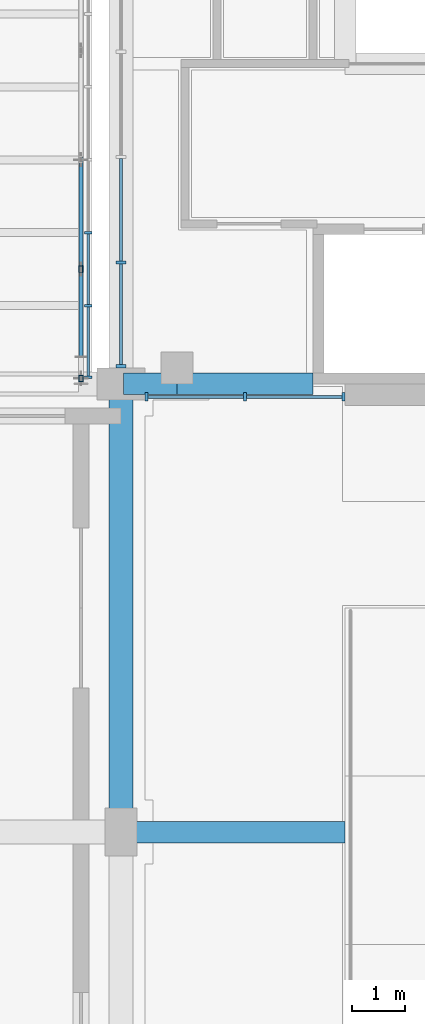
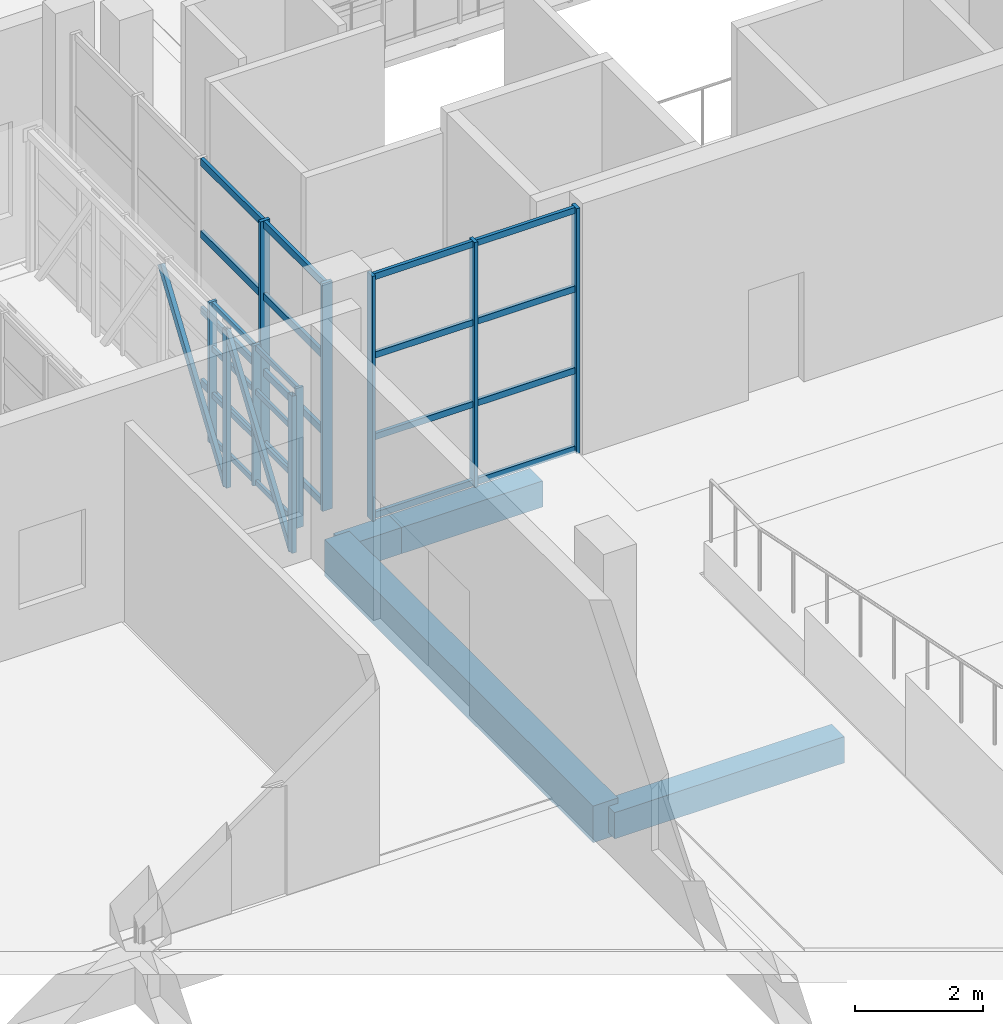
# One storey, part 9 of 67: 36 members, 4 beams, 3 elements without a shape of their own.
"""IFC4 building model written with IfcOpenShell, lengths in metres."""

from ifc_helpers import new_model, si_unit, direction, frame, origin, origin_2d, place, context, subcontext, project, spatial, rectangle, hollow_rectangle, extrude, material, layer, layer_set, material_profile, profile_set, type_object, element, aggregate, save


model = new_model("IFC4")

# Units and contexts
model_context = context("Model", 3, precision=1e-05, world=origin(), true_north=direction((0.0, 1.0)))
body_context = subcontext(model_context, "Body", "Model", "MODEL_VIEW")
ifc_project = project(units=[si_unit("LENGTHUNIT", "METRE"), si_unit("AREAUNIT", "SQUARE_METRE"), si_unit("VOLUMEUNIT", "CUBIC_METRE"), si_unit("PLANEANGLEUNIT", "RADIAN"), si_unit("MASSUNIT", "GRAM", prefix="KILO")], contexts=[model_context])

# Site, building, storey
site_placement = place(None, origin())
site = spatial("IfcSite", under=ifc_project, at=site_placement, CompositionType="ELEMENT")
building_placement = place(site_placement, origin())
building = spatial("IfcBuilding", under=site, at=building_placement, Name="Kiln Court Media Centre", CompositionType="ELEMENT")
storey_placement = place(building_placement, frame((0.0, 0.0, 19.800048828125)))
storey = spatial("IfcBuildingStorey", under=building, at=storey_placement, Name="L04", CompositionType="ELEMENT", Elevation=19.800048828125)

# Curtain wall, members
ifc_material_1 = material(Name="Aluminium 6063-T6", Category="aluminium")
ifc_layer_1 = layer(ifc_material_1, 0.1201171875)
ifc_layer_set_1 = layer_set([ifc_layer_1], Name="Aluminium unitised curtain wall, bridge")
curtain_wall_type_1 = type_object("IfcCurtainWallType", Name="Aluminium unitised curtain wall, bridge", PredefinedType="USERDEFINED", material=ifc_layer_set_1)
curtain_wall_1_placement = place(storey_placement, origin())
curtain_wall_1 = element("IfcCurtainWall", 1, at=curtain_wall_1_placement, inside=storey, type_object=curtain_wall_type_1, Name="BR-2 side glazing", ObjectType="UNITISED CURTAIN WALL", PredefinedType="USERDEFINED")
ifc_material_2 = material(Name="Aluminium 6063-T6", Category="aluminium")
ifc_material_profile_1 = material_profile(ifc_material_2, rectangle(XDim=0.050048828125, YDim=0.139892578125, at=origin_2d()), Name="Aluminium hall mullion 50x140")
ifc_profile_set_1 = profile_set([ifc_material_profile_1], Name="Aluminium 6063-T6")
member_type_1 = type_object("IfcMemberType", Name="Aluminium hall mullion 50x140", PredefinedType="MULLION", material=ifc_profile_set_1)
member_1_placement = place(storey_placement, frame((32.985107421875, 25.324951171875, 0.0), z_axis=(0.0, 0.0, 1.0), x_axis=(0.0, 1.0, 0.0)))
member_1 = element("IfcMember", 2, at=member_1_placement, type_object=member_type_1, Name="CW4-66 mullion 1", PredefinedType="MULLION", context=body_context, shape_type="SweptSolid", body=[
    extrude(rectangle(XDim=0.050048828125, YDim=0.139892578125, at=origin_2d()), origin(), (0.0, 0.0, 1.0), 2.675048828125),
])
member_2_placement = place(storey_placement, frame((32.985107421875, 26.666748046875, 0.0), z_axis=(0.0, 0.0, 1.0), x_axis=(0.0, 1.0, 0.0)))
member_2 = element("IfcMember", 3, at=member_2_placement, type_object=member_type_1, Name="CW4-66 mullion 2", PredefinedType="MULLION", context=body_context, shape_type="SweptSolid", body=[
    extrude(rectangle(XDim=0.050048828125, YDim=0.139892578125, at=origin_2d()), origin(), (0.0, 0.0, 1.0), 2.675048828125),
])
member_3_placement = place(storey_placement, frame((32.985107421875, 28.033447265625, 0.0), z_axis=(0.0, 0.0, 1.0), x_axis=(0.0, 1.0, 0.0)))
member_3 = element("IfcMember", 4, at=member_3_placement, type_object=member_type_1, Name="CW4-66 mullion 3", PredefinedType="MULLION", context=body_context, shape_type="SweptSolid", body=[
    extrude(rectangle(XDim=0.050048828125, YDim=0.139892578125, at=origin_2d()), origin(), (0.0, 0.0, 1.0), 2.675048828125),
])

ifc_material_3 = material(Name="Aluminium 6063-T6", Category="aluminium")
ifc_layer_2 = layer(ifc_material_3, 0.1201171875)
ifc_layer_set_2 = layer_set([ifc_layer_2], Name="Aluminium stick curtain wall, clerestory")
curtain_wall_type_2 = type_object("IfcCurtainWallType", Name="Aluminium stick curtain wall, clerestory", PredefinedType="USERDEFINED", material=ifc_layer_set_2)
curtain_wall_2_placement = place(storey_placement, origin())
curtain_wall_2 = element("IfcCurtainWall", 5, at=curtain_wall_2_placement, inside=storey, type_object=curtain_wall_type_2, Name="Foyer south clerestory", ObjectType="STICK CURTAIN WALL", PredefinedType="USERDEFINED")
ifc_material_4 = material(Name="Aluminium 6063-T6", Category="aluminium")
ifc_material_profile_2 = material_profile(ifc_material_4, rectangle(XDim=0.06005859375, YDim=0.159912109375, at=origin_2d()), Name="Aluminium hall mullion 60x160")
ifc_profile_set_2 = profile_set([ifc_material_profile_2], Name="Aluminium 6063-T6")
member_type_2 = type_object("IfcMemberType", Name="Aluminium hall mullion 60x160", PredefinedType="MULLION", material=ifc_profile_set_2)
member_4_placement = place(storey_placement, frame((34.080078125, 24.95556640625, 0.0), z_axis=(0.0, 0.0, 1.0), x_axis=(1.0, 0.0, 0.0)))
member_4 = element("IfcMember", 6, at=member_4_placement, type_object=member_type_2, Name="CW4-61 mullion 1", PredefinedType="MULLION", context=body_context, shape_type="SweptSolid", body=[
    extrude(rectangle(XDim=0.06005859375, YDim=0.159912109375, at=origin_2d()), origin(), (0.0, 0.0, 1.0), 4.677734375),
])
member_5_placement = place(storey_placement, frame((35.925048828125, 24.95556640625, 0.0), z_axis=(0.0, 0.0, 1.0), x_axis=(1.0, 0.0, 0.0)))
member_5 = element("IfcMember", 7, at=member_5_placement, type_object=member_type_2, Name="CW4-61 mullion 2", PredefinedType="MULLION", context=body_context, shape_type="SweptSolid", body=[
    extrude(rectangle(XDim=0.06005859375, YDim=0.159912109375, at=origin_2d()), origin(), (0.0, 0.0, 1.0), 4.677734375),
])
member_6_placement = place(storey_placement, frame((37.77001953125, 24.95556640625, 0.0), z_axis=(0.0, 0.0, 1.0), x_axis=(1.0, 0.0, 0.0)))
member_6 = element("IfcMember", 8, at=member_6_placement, type_object=member_type_2, Name="CW4-61 mullion 3", PredefinedType="MULLION", context=body_context, shape_type="SweptSolid", body=[
    extrude(rectangle(XDim=0.06005859375, YDim=0.159912109375, at=origin_2d()), origin(), (0.0, 0.0, 1.0), 4.677734375),
])

ifc_material_5 = material(Name="Aluminium 6063-T6", Category="aluminium")
ifc_layer_3 = layer(ifc_material_5, 0.1201171875)
ifc_layer_set_3 = layer_set([ifc_layer_3], Name="Aluminium stick curtain wall, gallery")
curtain_wall_type_3 = type_object("IfcCurtainWallType", Name="Aluminium stick curtain wall, gallery", PredefinedType="USERDEFINED", material=ifc_layer_set_3)
curtain_wall_3_placement = place(storey_placement, origin())
curtain_wall_3 = element("IfcCurtainWall", 9, at=curtain_wall_3_placement, inside=storey, type_object=curtain_wall_type_3, Name="Foyer west glazing L04", ObjectType="STICK CURTAIN WALL", PredefinedType="USERDEFINED")
ifc_material_6 = material(Name="Aluminium 6063-T6", Category="aluminium")
ifc_material_profile_3 = material_profile(ifc_material_6, rectangle(XDim=0.06005859375, YDim=0.179931640625, at=origin_2d()), Name="Aluminium hall mullion 60x180")
ifc_profile_set_3 = profile_set([ifc_material_profile_3], Name="Aluminium 6063-T6")
member_type_3 = type_object("IfcMemberType", Name="Aluminium hall mullion 60x180", PredefinedType="MULLION", material=ifc_profile_set_3)
member_7_placement = place(storey_placement, frame((33.60009765625, 25.530029296875, 0.0), z_axis=(0.0, 0.0, 1.0), x_axis=(0.0, 1.0, 0.0)))
member_7 = element("IfcMember", 10, at=member_7_placement, type_object=member_type_3, Name="CW4-64 mullion 1", PredefinedType="MULLION", context=body_context, shape_type="SweptSolid", body=[
    extrude(rectangle(XDim=0.06005859375, YDim=0.179931640625, at=origin_2d()), origin(), (0.0, 0.0, 1.0), 4.349853515625),
])
member_8_placement = place(storey_placement, frame((33.60009765625, 27.47509765625, 0.0), z_axis=(0.0, 0.0, 1.0), x_axis=(0.0, 1.0, 0.0)))
member_8 = element("IfcMember", 11, at=member_8_placement, type_object=member_type_3, Name="CW4-64 mullion 2", PredefinedType="MULLION", context=body_context, shape_type="SweptSolid", body=[
    extrude(rectangle(XDim=0.06005859375, YDim=0.179931640625, at=origin_2d()), origin(), (0.0, 0.0, 1.0), 4.349853515625),
])

# Member
ifc_material_7 = material(Name="Aluminium 6063-T6", Category="aluminium")
ifc_material_profile_4 = material_profile(ifc_material_7, rectangle(XDim=0.050048828125, YDim=0.10009765625, at=origin_2d()), Name="Aluminium hall transom 50x100")
ifc_profile_set_4 = profile_set([ifc_material_profile_4], Name="Aluminium 6063-T6")
member_type_4 = type_object("IfcMemberType", Name="Aluminium hall transom 50x100", PredefinedType="USERDEFINED", material=ifc_profile_set_4)
member_9_placement = place(storey_placement, frame((32.985107421875, 25.35009765625, 0.050048828125), z_axis=(0.0, 1.0, 0.0), x_axis=(-1.0, 0.0, 0.0)))
member_9 = element("IfcMember", 12, at=member_9_placement, type_object=member_type_4, Name="CW4-66 transom 1.1", ObjectType="TRANSOM", PredefinedType="USERDEFINED", context=body_context, shape_type="SweptSolid", body=[
    extrude(rectangle(XDim=0.050048828125, YDim=0.10009765625, at=origin_2d()), origin(), (0.0, 0.0, 1.0), 1.29150390625),
])

member_10_placement = place(storey_placement, frame((32.985107421875, 25.35009765625, 0.8916015625), z_axis=(0.0, 1.0, 0.0), x_axis=(-1.0, 0.0, 0.0)))
member_10 = element("IfcMember", 13, at=member_10_placement, type_object=member_type_4, Name="CW4-66 transom 1.2", ObjectType="TRANSOM", PredefinedType="USERDEFINED", context=body_context, shape_type="SweptSolid", body=[
    extrude(rectangle(XDim=0.050048828125, YDim=0.10009765625, at=origin_2d()), origin(), (0.0, 0.0, 1.0), 1.29150390625),
])

member_11_placement = place(storey_placement, frame((32.985107421875, 25.35009765625, 1.783203125), z_axis=(0.0, 1.0, 0.0), x_axis=(-1.0, 0.0, 0.0)))
member_11 = element("IfcMember", 14, at=member_11_placement, type_object=member_type_4, Name="CW4-66 transom 1.3", ObjectType="TRANSOM", PredefinedType="USERDEFINED", context=body_context, shape_type="SweptSolid", body=[
    extrude(rectangle(XDim=0.050048828125, YDim=0.10009765625, at=origin_2d()), origin(), (0.0, 0.0, 1.0), 1.29150390625),
])

member_12_placement = place(storey_placement, frame((32.985107421875, 25.35009765625, 2.625), z_axis=(0.0, 1.0, 0.0), x_axis=(-1.0, 0.0, 0.0)))
member_12 = element("IfcMember", 15, at=member_12_placement, type_object=member_type_4, Name="CW4-66 transom 1.4", ObjectType="TRANSOM", PredefinedType="USERDEFINED", context=body_context, shape_type="SweptSolid", body=[
    extrude(rectangle(XDim=0.050048828125, YDim=0.10009765625, at=origin_2d()), origin(), (0.0, 0.0, 1.0), 1.29150390625),
])

member_13_placement = place(storey_placement, frame((32.985107421875, 26.691650390625, 0.050048828125), z_axis=(0.0, 1.0, 0.0), x_axis=(-1.0, 0.0, 0.0)))
member_13 = element("IfcMember", 16, at=member_13_placement, type_object=member_type_4, Name="CW4-66 transom 2.1", ObjectType="TRANSOM", PredefinedType="USERDEFINED", context=body_context, shape_type="SweptSolid", body=[
    extrude(rectangle(XDim=0.050048828125, YDim=0.10009765625, at=origin_2d()), origin(), (0.0, 0.0, 1.0), 1.316650390625),
])

member_14_placement = place(storey_placement, frame((32.985107421875, 26.691650390625, 0.8916015625), z_axis=(0.0, 1.0, 0.0), x_axis=(-1.0, 0.0, 0.0)))
member_14 = element("IfcMember", 17, at=member_14_placement, type_object=member_type_4, Name="CW4-66 transom 2.2", ObjectType="TRANSOM", PredefinedType="USERDEFINED", context=body_context, shape_type="SweptSolid", body=[
    extrude(rectangle(XDim=0.050048828125, YDim=0.10009765625, at=origin_2d()), origin(), (0.0, 0.0, 1.0), 1.316650390625),
])

member_15_placement = place(storey_placement, frame((32.985107421875, 26.691650390625, 1.783203125), z_axis=(0.0, 1.0, 0.0), x_axis=(-1.0, 0.0, 0.0)))
member_15 = element("IfcMember", 18, at=member_15_placement, type_object=member_type_4, Name="CW4-66 transom 2.3", ObjectType="TRANSOM", PredefinedType="USERDEFINED", context=body_context, shape_type="SweptSolid", body=[
    extrude(rectangle(XDim=0.050048828125, YDim=0.10009765625, at=origin_2d()), origin(), (0.0, 0.0, 1.0), 1.316650390625),
])

member_16_placement = place(storey_placement, frame((32.985107421875, 26.691650390625, 2.625), z_axis=(0.0, 1.0, 0.0), x_axis=(-1.0, 0.0, 0.0)))
member_16 = element("IfcMember", 19, at=member_16_placement, type_object=member_type_4, Name="CW4-66 transom 2.4", ObjectType="TRANSOM", PredefinedType="USERDEFINED", context=body_context, shape_type="SweptSolid", body=[
    extrude(rectangle(XDim=0.050048828125, YDim=0.10009765625, at=origin_2d()), origin(), (0.0, 0.0, 1.0), 1.316650390625),
])

aggregate(curtain_wall_1, [member_1, member_2, member_3, member_9, member_10, member_11, member_12, member_13, member_14, member_15, member_16])

ifc_material_8 = material(Name="Aluminium 6063-T6", Category="aluminium")
ifc_material_profile_5 = material_profile(ifc_material_8, rectangle(XDim=0.06005859375, YDim=0.1201171875, at=origin_2d()), Name="Aluminium hall transom 60x120")
ifc_profile_set_5 = profile_set([ifc_material_profile_5], Name="Aluminium 6063-T6")
member_type_5 = type_object("IfcMemberType", Name="Aluminium hall transom 60x120", PredefinedType="USERDEFINED", material=ifc_profile_set_5)
member_17_placement = place(storey_placement, frame((34.110107421875, 24.95556640625, 0.06005859375), z_axis=(1.0, 0.0, 0.0), x_axis=(0.0, 1.0, 0.0)))
member_17 = element("IfcMember", 20, at=member_17_placement, type_object=member_type_5, Name="CW4-61 transom 1.1", ObjectType="TRANSOM", PredefinedType="USERDEFINED", context=body_context, shape_type="SweptSolid", body=[
    extrude(rectangle(XDim=0.06005859375, YDim=0.1201171875, at=origin_2d()), origin(), (0.0, 0.0, 1.0), 1.784912109375),
])

member_18_placement = place(storey_placement, frame((34.110107421875, 24.95556640625, 1.55908203125), z_axis=(1.0, 0.0, 0.0), x_axis=(0.0, 1.0, 0.0)))
member_18 = element("IfcMember", 21, at=member_18_placement, type_object=member_type_5, Name="CW4-61 transom 1.2", ObjectType="TRANSOM", PredefinedType="USERDEFINED", context=body_context, shape_type="SweptSolid", body=[
    extrude(rectangle(XDim=0.06005859375, YDim=0.1201171875, at=origin_2d()), origin(), (0.0, 0.0, 1.0), 1.784912109375),
])

member_19_placement = place(storey_placement, frame((34.110107421875, 24.95556640625, 3.118408203125), z_axis=(1.0, 0.0, 0.0), x_axis=(0.0, 1.0, 0.0)))
member_19 = element("IfcMember", 22, at=member_19_placement, type_object=member_type_5, Name="CW4-61 transom 1.3", ObjectType="TRANSOM", PredefinedType="USERDEFINED", context=body_context, shape_type="SweptSolid", body=[
    extrude(rectangle(XDim=0.06005859375, YDim=0.1201171875, at=origin_2d()), origin(), (0.0, 0.0, 1.0), 1.784912109375),
])

member_20_placement = place(storey_placement, frame((34.110107421875, 24.95556640625, 4.61767578125), z_axis=(1.0, 0.0, 0.0), x_axis=(0.0, 1.0, 0.0)))
member_20 = element("IfcMember", 23, at=member_20_placement, type_object=member_type_5, Name="CW4-61 transom 1.4", ObjectType="TRANSOM", PredefinedType="USERDEFINED", context=body_context, shape_type="SweptSolid", body=[
    extrude(rectangle(XDim=0.06005859375, YDim=0.1201171875, at=origin_2d()), origin(), (0.0, 0.0, 1.0), 1.784912109375),
])

member_21_placement = place(storey_placement, frame((35.955078125, 24.95556640625, 0.06005859375), z_axis=(1.0, 0.0, 0.0), x_axis=(0.0, 1.0, 0.0)))
member_21 = element("IfcMember", 24, at=member_21_placement, type_object=member_type_5, Name="CW4-61 transom 2.1", ObjectType="TRANSOM", PredefinedType="USERDEFINED", context=body_context, shape_type="SweptSolid", body=[
    extrude(rectangle(XDim=0.06005859375, YDim=0.1201171875, at=origin_2d()), origin(), (0.0, 0.0, 1.0), 1.784912109375),
])

member_22_placement = place(storey_placement, frame((35.955078125, 24.95556640625, 1.55908203125), z_axis=(1.0, 0.0, 0.0), x_axis=(0.0, 1.0, 0.0)))
member_22 = element("IfcMember", 25, at=member_22_placement, type_object=member_type_5, Name="CW4-61 transom 2.2", ObjectType="TRANSOM", PredefinedType="USERDEFINED", context=body_context, shape_type="SweptSolid", body=[
    extrude(rectangle(XDim=0.06005859375, YDim=0.1201171875, at=origin_2d()), origin(), (0.0, 0.0, 1.0), 1.784912109375),
])

member_23_placement = place(storey_placement, frame((35.955078125, 24.95556640625, 3.118408203125), z_axis=(1.0, 0.0, 0.0), x_axis=(0.0, 1.0, 0.0)))
member_23 = element("IfcMember", 26, at=member_23_placement, type_object=member_type_5, Name="CW4-61 transom 2.3", ObjectType="TRANSOM", PredefinedType="USERDEFINED", context=body_context, shape_type="SweptSolid", body=[
    extrude(rectangle(XDim=0.06005859375, YDim=0.1201171875, at=origin_2d()), origin(), (0.0, 0.0, 1.0), 1.784912109375),
])

member_24_placement = place(storey_placement, frame((35.955078125, 24.95556640625, 4.61767578125), z_axis=(1.0, 0.0, 0.0), x_axis=(0.0, 1.0, 0.0)))
member_24 = element("IfcMember", 27, at=member_24_placement, type_object=member_type_5, Name="CW4-61 transom 2.4", ObjectType="TRANSOM", PredefinedType="USERDEFINED", context=body_context, shape_type="SweptSolid", body=[
    extrude(rectangle(XDim=0.06005859375, YDim=0.1201171875, at=origin_2d()), origin(), (0.0, 0.0, 1.0), 1.784912109375),
])

aggregate(curtain_wall_2, [member_4, member_5, member_6, member_17, member_18, member_19, member_20, member_21, member_22, member_23, member_24])

ifc_material_9 = material(Name="Aluminium 6063-T6", Category="aluminium")
ifc_material_profile_6 = material_profile(ifc_material_9, rectangle(XDim=0.06005859375, YDim=0.139892578125, at=origin_2d()), Name="Aluminium hall transom 60x140")
ifc_profile_set_6 = profile_set([ifc_material_profile_6], Name="Aluminium 6063-T6")
member_type_6 = type_object("IfcMemberType", Name="Aluminium hall transom 60x140", PredefinedType="USERDEFINED", material=ifc_profile_set_6)
member_25_placement = place(storey_placement, frame((33.60009765625, 25.56005859375, 0.070068359375), z_axis=(0.0, 1.0, 0.0), x_axis=(-1.0, 0.0, 0.0)))
member_25 = element("IfcMember", 28, at=member_25_placement, type_object=member_type_6, Name="CW4-64 transom 1.1", ObjectType="TRANSOM", PredefinedType="USERDEFINED", context=body_context, shape_type="SweptSolid", body=[
    extrude(rectangle(XDim=0.06005859375, YDim=0.139892578125, at=origin_2d()), origin(), (0.0, 0.0, 1.0), 1.885009765625),
])

member_26_placement = place(storey_placement, frame((33.60009765625, 25.56005859375, 1.449951171875), z_axis=(0.0, 1.0, 0.0), x_axis=(-1.0, 0.0, 0.0)))
member_26 = element("IfcMember", 29, at=member_26_placement, type_object=member_type_6, Name="CW4-64 transom 1.2", ObjectType="TRANSOM", PredefinedType="USERDEFINED", context=body_context, shape_type="SweptSolid", body=[
    extrude(rectangle(XDim=0.06005859375, YDim=0.139892578125, at=origin_2d()), origin(), (0.0, 0.0, 1.0), 1.885009765625),
])

member_27_placement = place(storey_placement, frame((33.60009765625, 25.56005859375, 2.89990234375), z_axis=(0.0, 1.0, 0.0), x_axis=(-1.0, 0.0, 0.0)))
member_27 = element("IfcMember", 30, at=member_27_placement, type_object=member_type_6, Name="CW4-64 transom 1.3", ObjectType="TRANSOM", PredefinedType="USERDEFINED", context=body_context, shape_type="SweptSolid", body=[
    extrude(rectangle(XDim=0.06005859375, YDim=0.139892578125, at=origin_2d()), origin(), (0.0, 0.0, 1.0), 1.885009765625),
])

member_28_placement = place(storey_placement, frame((33.60009765625, 25.56005859375, 4.280029296875), z_axis=(0.0, 1.0, 0.0), x_axis=(-1.0, 0.0, 0.0)))
member_28 = element("IfcMember", 31, at=member_28_placement, type_object=member_type_6, Name="CW4-64 transom 1.4", ObjectType="TRANSOM", PredefinedType="USERDEFINED", context=body_context, shape_type="SweptSolid", body=[
    extrude(rectangle(XDim=0.06005859375, YDim=0.139892578125, at=origin_2d()), origin(), (0.0, 0.0, 1.0), 1.885009765625),
])

member_29_placement = place(storey_placement, frame((33.60009765625, 27.5048828125, 0.070068359375), z_axis=(0.0, 1.0, 0.0), x_axis=(-1.0, 0.0, 0.0)))
member_29 = element("IfcMember", 32, at=member_29_placement, type_object=member_type_6, Name="CW4-64 transom 2.1", ObjectType="TRANSOM", PredefinedType="USERDEFINED", context=body_context, shape_type="SweptSolid", body=[
    extrude(rectangle(XDim=0.06005859375, YDim=0.139892578125, at=origin_2d()), origin(), (0.0, 0.0, 1.0), 1.9150390625),
])

member_30_placement = place(storey_placement, frame((33.60009765625, 27.5048828125, 1.449951171875), z_axis=(0.0, 1.0, 0.0), x_axis=(-1.0, 0.0, 0.0)))
member_30 = element("IfcMember", 33, at=member_30_placement, type_object=member_type_6, Name="CW4-64 transom 2.2", ObjectType="TRANSOM", PredefinedType="USERDEFINED", context=body_context, shape_type="SweptSolid", body=[
    extrude(rectangle(XDim=0.06005859375, YDim=0.139892578125, at=origin_2d()), origin(), (0.0, 0.0, 1.0), 1.9150390625),
])

member_31_placement = place(storey_placement, frame((33.60009765625, 27.5048828125, 2.89990234375), z_axis=(0.0, 1.0, 0.0), x_axis=(-1.0, 0.0, 0.0)))
member_31 = element("IfcMember", 34, at=member_31_placement, type_object=member_type_6, Name="CW4-64 transom 2.3", ObjectType="TRANSOM", PredefinedType="USERDEFINED", context=body_context, shape_type="SweptSolid", body=[
    extrude(rectangle(XDim=0.06005859375, YDim=0.139892578125, at=origin_2d()), origin(), (0.0, 0.0, 1.0), 1.9150390625),
])

member_32_placement = place(storey_placement, frame((33.60009765625, 27.5048828125, 4.280029296875), z_axis=(0.0, 1.0, 0.0), x_axis=(-1.0, 0.0, 0.0)))
member_32 = element("IfcMember", 35, at=member_32_placement, type_object=member_type_6, Name="CW4-64 transom 2.4", ObjectType="TRANSOM", PredefinedType="USERDEFINED", context=body_context, shape_type="SweptSolid", body=[
    extrude(rectangle(XDim=0.06005859375, YDim=0.139892578125, at=origin_2d()), origin(), (0.0, 0.0, 1.0), 1.9150390625),
])

aggregate(curtain_wall_3, [member_7, member_8, member_25, member_26, member_27, member_28, member_29, member_30, member_31, member_32])

# Beams
ifc_material_10 = material(Name="Concrete C30/37", Category="concrete")
ifc_material_profile_7 = material_profile(ifc_material_10, rectangle(XDim=0.39990234375, YDim=0.5, at=origin_2d()), Name="RC 400x500")
ifc_profile_set_7 = profile_set([ifc_material_profile_7], Name="Concrete C30/37")
beam_type_1 = type_object("IfcBeamType", Name="Concrete C30/37 beam 400x500", PredefinedType="BEAM", material=ifc_profile_set_7)
beam_1_placement = place(storey_placement, frame((33.64990234375, 16.800048828125, -0.650146484375), z_axis=(1.0, 0.0, 0.0), x_axis=(0.0, 1.0, 0.0)))
element("IfcBeam", 36, at=beam_1_placement, inside=storey, type_object=beam_type_1, Name="L04-B-1052", PredefinedType="BEAM", context=body_context, shape_type="SweptSolid", body=[
    extrude(rectangle(XDim=0.39990234375, YDim=0.5, at=origin_2d()), origin(), (0.0, 0.0, 1.0), 4.151123046875),
])
beam_2_placement = place(storey_placement, frame((33.64990234375, 25.199951171875, -0.650146484375), z_axis=(1.0, 0.0, 0.0), x_axis=(0.0, 1.0, 0.0)))
element("IfcBeam", 37, at=beam_2_placement, inside=storey, type_object=beam_type_1, Name="L04-B-1055", PredefinedType="BEAM", context=body_context, shape_type="SweptSolid", body=[
    extrude(rectangle(XDim=0.39990234375, YDim=0.5, at=origin_2d()), origin(), (0.0, 0.0, 1.0), 1.0),
])
beam_3_placement = place(storey_placement, frame((34.64990234375, 25.199951171875, -0.650146484375), z_axis=(1.0, 0.0, 0.0), x_axis=(0.0, 1.0, 0.0)))
element("IfcBeam", 38, at=beam_3_placement, inside=storey, type_object=beam_type_1, Name="L04-B-1056", PredefinedType="BEAM", context=body_context, shape_type="SweptSolid", body=[
    extrude(rectangle(XDim=0.39990234375, YDim=0.5, at=origin_2d()), origin(), (0.0, 0.0, 1.0), 2.550048828125),
])
ifc_material_11 = material(Name="Concrete C30/37", Category="concrete")
ifc_material_profile_8 = material_profile(ifc_material_11, rectangle(XDim=0.449951171875, YDim=0.699951171875, at=origin_2d()), Name="RC 450x700")
ifc_profile_set_8 = profile_set([ifc_material_profile_8], Name="Concrete C30/37")
beam_type_2 = type_object("IfcBeamType", Name="Concrete C30/37 beam 450x700", PredefinedType="BEAM", material=ifc_profile_set_8)
beam_4_placement = place(storey_placement, frame((33.60009765625, 16.800048828125, -0.650146484375), z_axis=(0.0, 1.0, 0.0), x_axis=(-1.0, 0.0, 0.0)))
element("IfcBeam", 39, at=beam_4_placement, inside=storey, type_object=beam_type_2, Name="L04-B-1021", PredefinedType="BEAM", context=body_context, shape_type="SweptSolid", body=[
    extrude(rectangle(XDim=0.449951171875, YDim=0.699951171875, at=origin_2d()), origin(), (0.0, 0.0, 1.0), 8.39990234375),
])

# Members
ifc_material_12 = material(Name="Steel ASTM A500 Gr C", Category="steel")
ifc_material_profile_9 = material_profile(ifc_material_12, hollow_rectangle(XDim=0.080078125, YDim=0.1201171875, WallThickness=0.00634765625, at=origin_2d()), Name="RHS 120x80x6.3")
ifc_profile_set_9 = profile_set([ifc_material_profile_9], Name="Steel ASTM A500 Gr C")
member_type_7 = type_object("IfcMemberType", Name="Steel ASTM A500 Gr C RHS 120x80x6.3 bridge truss web", PredefinedType="BRACE", material=ifc_profile_set_9)
for number, where, z_axis, x_axis, name in (
    (40, (32.85009765625, 25.300048828125, -0.400146484375), (0.0, 0.0, 1.0), (1.0, 0.0, 0.0), "bridge BR-2 side truss 2 post 1 bridge truss web"),
    (41, (32.85009765625, 27.35009765625, -0.400146484375), (0.0, 0.0, 1.0), (1.0, 0.0, 0.0), "bridge BR-2 side truss 2 post 2 bridge truss web"),
):
    element("IfcMember", number, at=place(storey_placement, frame(where, z_axis=z_axis, x_axis=x_axis)), inside=storey, type_object=member_type_7, Name=name, PredefinedType="BRACE", context=body_context, shape_type="SweptSolid", body=[
        extrude(hollow_rectangle(XDim=0.080078125, YDim=0.1201171875, WallThickness=0.00634765625, at=origin_2d()), origin(), (0.0, 0.0, 1.0), 3.0),
    ])
member_33_placement = place(storey_placement, frame((32.85009765625, 25.300048828125, -0.400146484375), z_axis=(0.0, 0.564199665614, 0.825638381691), x_axis=(-1.0, 0.0, 0.0)))
element("IfcMember", 42, at=member_33_placement, inside=storey, type_object=member_type_7, Name="bridge BR-2 side truss 2 diagonal 1 bridge truss web", PredefinedType="BRACE", context=body_context, shape_type="SweptSolid", body=[
    extrude(hollow_rectangle(XDim=0.080078125, YDim=0.1201171875, WallThickness=0.00634765625, at=origin_2d()), origin(), (0.0, 0.0, 1.0), 3.633544921875),
])
member_34_placement = place(storey_placement, frame((32.85009765625, 27.35009765625, -0.400146484375), z_axis=(0.0, 0.56415386059, 0.825669680672), x_axis=(-1.0, 0.0, 0.0)))
element("IfcMember", 43, at=member_34_placement, inside=storey, type_object=member_type_7, Name="bridge BR-2 side truss 2 diagonal 2 bridge truss web", PredefinedType="BRACE", context=body_context, shape_type="SweptSolid", body=[
    extrude(hollow_rectangle(XDim=0.080078125, YDim=0.1201171875, WallThickness=0.00634765625, at=origin_2d()), origin(), (0.0, 0.0, 1.0), 3.63330078125),
])

save(model, "model.ifc")
